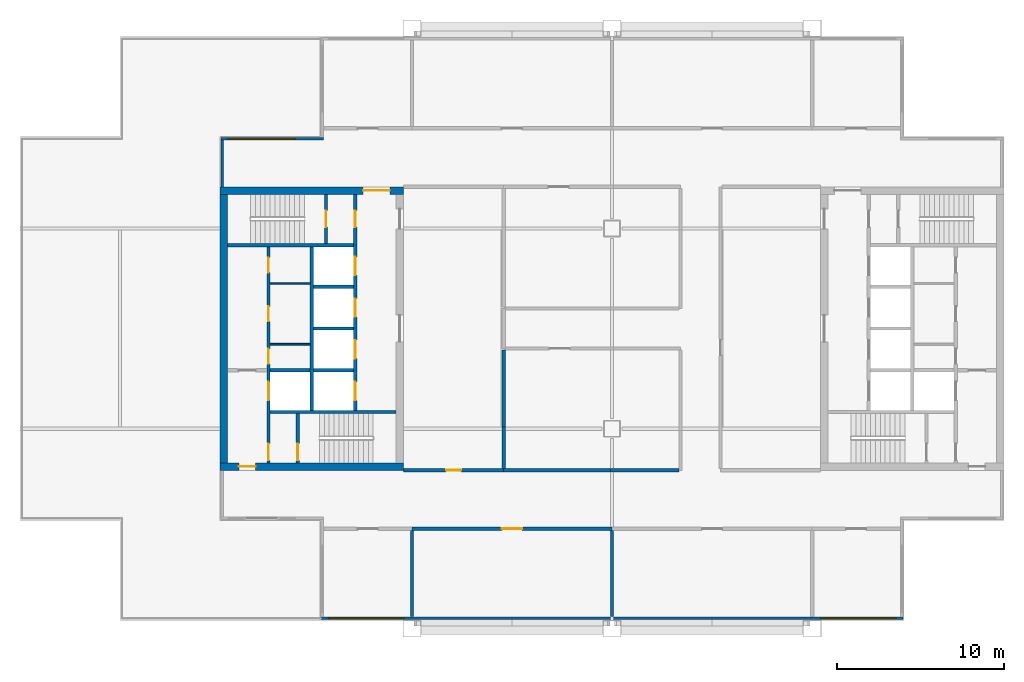
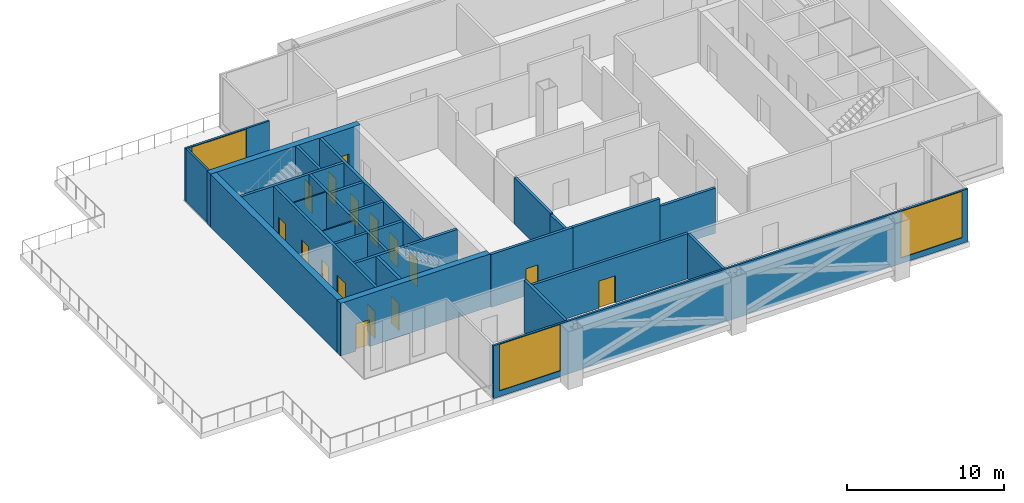
# One storey, part 2 of 6: 27 walls, 16 doors, 3 windows, 19 openings.
"""IFC4 building model written with IfcOpenShell, lengths in metres."""

from ifc_helpers import new_model, si_unit, direction, frame, frame_2d, origin, place, context, subcontext, project, spatial, rectangle, extrude, material, layer, layer_set, type_object, element, fill, save


model = new_model("IFC4")

# Units and contexts
model_context = context("Model", 3, precision=1e-05, world=origin(), true_north=direction((0.0, 1.0)))
body_context = subcontext(model_context, "Body", "Model", "MODEL_VIEW")
ifc_project = project(units=[si_unit("LENGTHUNIT", "METRE"), si_unit("AREAUNIT", "SQUARE_METRE"), si_unit("VOLUMEUNIT", "CUBIC_METRE"), si_unit("PLANEANGLEUNIT", "RADIAN"), si_unit("MASSUNIT", "GRAM", prefix="KILO")], contexts=[model_context])

# Site, building, storey
site_placement = place(None, origin())
site = spatial("IfcSite", under=ifc_project, at=site_placement, CompositionType="ELEMENT")
building_placement = place(site_placement, origin())
building = spatial("IfcBuilding", under=site, at=building_placement, Name="Kitamizu Gate Tower and Museum", CompositionType="ELEMENT")
storey_placement = place(building_placement, frame((0.0, 0.0, 213.449951171875)))
storey = spatial("IfcBuildingStorey", under=building, at=storey_placement, Name="L57", CompositionType="ELEMENT", Elevation=213.449951171875)

# Wall, opening, door
ifc_material_1 = material(Name="Concrete Fc42", Category="concrete")
ifc_layer_1 = layer(ifc_material_1, 0.449951171875)
ifc_layer_set_1 = layer_set([ifc_layer_1], Name="Concrete Fc42")
wall_type_1 = type_object("IfcWallType", Name="Core wall 450", PredefinedType="SHEAR", material=ifc_layer_set_1)
wall_1_placement = place(storey_placement, frame((12.5, 21.72509765625, 0.0), z_axis=(0.0, 0.0, 1.0), x_axis=(1.0, 0.0, 0.0)))
wall_1 = element("IfcWall", 1, at=wall_1_placement, inside=storey, type_object=wall_type_1, Name="Core wall WS", PredefinedType="SHEAR", context=body_context, shape_type="SweptSolid", body=[
    extrude(rectangle(XDim=11.0, YDim=0.449951171875, at=frame_2d((5.5, 0.0))), origin(), (0.0, 0.0, 1.0), 4.10009765625),
])
opening_1_placement = place(wall_1_placement, frame((1.125, 0.0, 0.0)))
opening_1 = element("IfcOpeningElement", 2, at=opening_1_placement, cuts=wall_1, Name="Opening L57-018", PredefinedType="OPENING", context=body_context, shape_type="SweptSolid", body=[
    extrude(rectangle(XDim=1.0, YDim=2.10009765625, at=frame_2d((0.5, 1.050048828125))), frame((0.0, 0.23486328125, 0.0), z_axis=(0.0, -1.0, 0.0), x_axis=(1.0, 0.0, 0.0)), (0.0, 0.0, 1.0), 0.469970703125),
])
ifc_material_2 = material(Name="Hollow metal door set")
door_type_1 = type_object("IfcDoorType", Name="Fire door 1000", OperationType="NOTDEFINED", PredefinedType="DOOR", material=ifc_material_2)
door_1_placement = place(opening_1_placement, origin())
door_1 = element("IfcDoor", 3, at=door_1_placement, inside=storey, type_object=door_type_1, Name="Fire-fighting lobby door L57-018", OperationType="SINGLE_SWING_LEFT", OverallHeight=2.10009765625, OverallWidth=1.0, PredefinedType="DOOR", context=body_context, shape_type="SweptSolid", body=[
    extrude(rectangle(XDim=1.0, YDim=2.10009765625, at=frame_2d((0.5, 1.050048828125))), frame((0.0, 0.02490234375, 0.0), z_axis=(0.0, -1.0, 0.0), x_axis=(1.0, 0.0, 0.0)), (0.0, 0.0, 1.0), 0.050048828125),
])
fill(opening_1, door_1)

wall_2_placement = place(storey_placement, frame((12.5, 38.27490234375, 0.0), z_axis=(0.0, 0.0, 1.0), x_axis=(1.0, 0.0, 0.0)))
wall_2 = element("IfcWall", 4, at=wall_2_placement, inside=storey, type_object=wall_type_1, Name="Core wall WN", PredefinedType="SHEAR", context=body_context, shape_type="SweptSolid", body=[
    extrude(rectangle(XDim=11.0, YDim=0.449951171875, at=frame_2d((5.5, 0.0))), origin(), (0.0, 0.0, 1.0), 4.10009765625),
])
opening_2_placement = place(wall_2_placement, frame((8.574951171875, 0.0, 0.0)))
opening_2 = element("IfcOpeningElement", 5, at=opening_2_placement, cuts=wall_2, Name="Opening L57-019", PredefinedType="OPENING", context=body_context, shape_type="SweptSolid", body=[
    extrude(rectangle(XDim=1.60009765625, YDim=2.10009765625, at=frame_2d((0.800048828125, 1.050048828125))), frame((0.0, 0.23486328125, 0.0), z_axis=(0.0, -1.0, 0.0), x_axis=(1.0, 0.0, 0.0)), (0.0, 0.0, 1.0), 0.469970703125),
])
ifc_material_3 = material(Name="Timber door set", Category="wood")
door_type_2 = type_object("IfcDoorType", Name="Entrance door 1600", OperationType="DOUBLE_DOOR_SINGLE_SWING", PredefinedType="DOOR", material=ifc_material_3)
door_2_placement = place(opening_2_placement, origin())
door_2 = element("IfcDoor", 6, at=door_2_placement, inside=storey, type_object=door_type_2, Name="Lobby door L57-019", OperationType="DOUBLE_DOOR_SINGLE_SWING", OverallHeight=2.10009765625, OverallWidth=1.60009765625, PredefinedType="DOOR", context=body_context, shape_type="SweptSolid", body=[
    extrude(rectangle(XDim=1.60009765625, YDim=2.10009765625, at=frame_2d((0.800048828125, 1.050048828125))), frame((0.0, 0.02490234375, 0.0), z_axis=(0.0, -1.0, 0.0), x_axis=(1.0, 0.0, 0.0)), (0.0, 0.0, 1.0), 0.050048828125),
])
fill(opening_2, door_2)

# Walls
wall_3_placement = place(storey_placement, frame((12.72509765625, 21.949951171875, 0.0), z_axis=(0.0, 0.0, 1.0), x_axis=(0.0, 1.0, 0.0)))
element("IfcWall", 7, at=wall_3_placement, inside=storey, type_object=wall_type_1, Name="Core wall WOUT", PredefinedType="SHEAR", context=body_context, shape_type="SweptSolid", body=[
    extrude(rectangle(XDim=16.10009765625, YDim=0.449951171875, at=frame_2d((8.050048828125, 0.0))), origin(), (0.0, 0.0, 1.0), 4.10009765625),
])
ifc_material_4 = material(Name="Gypsum board on galvanised stud")
ifc_layer_2 = layer(ifc_material_4, 0.10009765625)
ifc_layer_set_2 = layer_set([ifc_layer_2], Name="Gypsum board on galvanised stud")
wall_type_2 = type_object("IfcWallType", Name="Partition 100", PredefinedType="PARTITIONING", material=ifc_layer_set_2)
for number, where, z_axis, x_axis, name in (
    (8, (15.5, 29.06005859375, 0.0), (0.0, 0.0, 1.0), (1.0, 0.0, 0.0), "Partition WPF1"),
    (9, (15.5, 32.7099609375, 0.0), (0.0, 0.0, 1.0), (1.0, 0.0, 0.0), "Partition WPF2"),
):
    element("IfcWall", number, at=place(storey_placement, frame(where, z_axis=z_axis, x_axis=x_axis)), inside=storey, type_object=wall_type_2, Name=name, PredefinedType="PARTITIONING", context=body_context, shape_type="SweptSolid", body=[
        extrude(rectangle(XDim=2.39990234375, YDim=0.10009765625, at=frame_2d((1.199951171875, 0.0))), origin(), (0.0, 0.0, 1.0), 4.10009765625),
    ])

# Wall, opening, door
ifc_material_5 = material(Name="Gypsum board on galvanised stud")
ifc_layer_3 = layer(ifc_material_5, 0.199951171875)
ifc_layer_set_3 = layer_set([ifc_layer_3], Name="Gypsum board on galvanised stud")
wall_type_3 = type_object("IfcWallType", Name="Partition 200", PredefinedType="PARTITIONING", material=ifc_layer_set_3)
wall_4_placement = place(storey_placement, frame((29.5, 21.5, 0.0), z_axis=(0.0, 0.0, 1.0), x_axis=(-1.0, 0.0, 0.0)))
wall_4 = element("IfcWall", 10, at=wall_4_placement, inside=storey, type_object=wall_type_3, Name="Partition L57-001", PredefinedType="PARTITIONING", context=body_context, shape_type="SweptSolid", body=[
    extrude(rectangle(XDim=6.0, YDim=0.199951171875, at=frame_2d((3.0, 0.0))), origin(), (0.0, 0.0, 1.0), 4.10009765625),
])
opening_3_placement = place(wall_4_placement, frame((2.550048828125, 0.0, 0.0)))
opening_3 = element("IfcOpeningElement", 11, at=opening_3_placement, cuts=wall_4, Name="Opening L57-001", PredefinedType="OPENING", context=body_context, shape_type="SweptSolid", body=[
    extrude(rectangle(XDim=0.89990234375, YDim=2.10009765625, at=frame_2d((0.449951171875, 1.050048828125))), frame((0.0, 0.10986328125, 0.0), z_axis=(0.0, -1.0, 0.0), x_axis=(1.0, 0.0, 0.0)), (0.0, 0.0, 1.0), 0.219970703125),
])
ifc_material_6 = material(Name="Timber door set", Category="wood")
door_type_3 = type_object("IfcDoorType", Name="Store door 900", OperationType="NOTDEFINED", PredefinedType="DOOR", material=ifc_material_6)
door_3_placement = place(opening_3_placement, frame((0.89990234375, 0.0, 0.0), x_axis=(-1.0, 0.0, 0.0)))
door_3 = element("IfcDoor", 12, at=door_3_placement, inside=storey, type_object=door_type_3, Name="Store door L57-001", OperationType="SINGLE_SWING_LEFT", OverallHeight=2.10009765625, OverallWidth=0.89990234375, PredefinedType="DOOR", context=body_context, shape_type="SweptSolid", body=[
    extrude(rectangle(XDim=0.89990234375, YDim=2.10009765625, at=frame_2d((0.449951171875, 1.050048828125))), frame((0.0, 0.02490234375, 0.0), z_axis=(0.0, -1.0, 0.0), x_axis=(1.0, 0.0, 0.0)), (0.0, 0.0, 1.0), 0.050048828125),
])
fill(opening_3, door_3)

wall_5_placement = place(storey_placement, frame((24.0, 18.0, 0.0), z_axis=(0.0, 0.0, 1.0), x_axis=(1.0, 0.0, 0.0)))
wall_5 = element("IfcWall", 13, at=wall_5_placement, inside=storey, type_object=wall_type_3, Name="Partition L57-009", PredefinedType="PARTITIONING", context=body_context, shape_type="SweptSolid", body=[
    extrude(rectangle(XDim=12.0, YDim=0.199951171875, at=frame_2d((6.0, 0.0))), origin(), (0.0, 0.0, 1.0), 3.5),
])
opening_4_placement = place(wall_5_placement, frame((5.39990234375, 0.0, 0.0)))
opening_4 = element("IfcOpeningElement", 14, at=opening_4_placement, cuts=wall_5, Name="Opening L57-004", PredefinedType="OPENING", context=body_context, shape_type="SweptSolid", body=[
    extrude(rectangle(XDim=1.199951171875, YDim=2.10009765625, at=frame_2d((0.60009765625, 1.050048828125))), frame((0.0, 0.10986328125, 0.0), z_axis=(0.0, -1.0, 0.0), x_axis=(1.0, 0.0, 0.0)), (0.0, 0.0, 1.0), 0.219970703125),
])
ifc_material_7 = material(Name="Timber door set", Category="wood")
door_type_4 = type_object("IfcDoorType", Name="Plant room door 1200", OperationType="DOUBLE_DOOR_SINGLE_SWING", PredefinedType="DOOR", material=ifc_material_7)
door_4_placement = place(opening_4_placement, origin())
door_4 = element("IfcDoor", 15, at=door_4_placement, inside=storey, type_object=door_type_4, Name="Plant room door L57-004", OperationType="DOUBLE_DOOR_SINGLE_SWING", OverallHeight=2.10009765625, OverallWidth=1.199951171875, PredefinedType="DOOR", context=body_context, shape_type="SweptSolid", body=[
    extrude(rectangle(XDim=1.199951171875, YDim=2.10009765625, at=frame_2d((0.60009765625, 1.050048828125))), frame((0.0, 0.02490234375, 0.0), z_axis=(0.0, -1.0, 0.0), x_axis=(1.0, 0.0, 0.0)), (0.0, 0.0, 1.0), 0.050048828125),
])
fill(opening_4, door_4)

# Walls
wall_6_placement = place(storey_placement, frame((40.0, 21.5, 0.0), z_axis=(0.0, 0.0, 1.0), x_axis=(-1.0, 0.0, 0.0)))
element("IfcWall", 16, at=wall_6_placement, inside=storey, type_object=wall_type_3, Name="Partition L57-020", PredefinedType="PARTITIONING", context=body_context, shape_type="SweptSolid", body=[
    extrude(rectangle(XDim=4.10009765625, YDim=0.199951171875, at=frame_2d((2.050048828125, 0.0))), origin(), (0.0, 0.0, 1.0), 3.5),
])
wall_7_placement = place(storey_placement, frame((35.89990234375, 21.5, 0.0), z_axis=(0.0, 0.0, 1.0), x_axis=(-1.0, 0.0, 0.0)))
element("IfcWall", 17, at=wall_7_placement, inside=storey, type_object=wall_type_3, Name="Partition L57-021", PredefinedType="PARTITIONING", context=body_context, shape_type="SweptSolid", body=[
    extrude(rectangle(XDim=6.39990234375, YDim=0.199951171875, at=frame_2d((3.199951171875, 0.0))), origin(), (0.0, 0.0, 1.0), 4.10009765625),
])
wall_8_placement = place(storey_placement, frame((29.5, 21.60009765625, 0.0), z_axis=(0.0, 0.0, 1.0), x_axis=(0.0, 1.0, 0.0)))
element("IfcWall", 18, at=wall_8_placement, inside=storey, type_object=wall_type_3, Name="Partition L57-028", PredefinedType="PARTITIONING", context=body_context, shape_type="SweptSolid", body=[
    extrude(rectangle(XDim=2.5, YDim=0.199951171875, at=frame_2d((1.25, 0.0))), origin(), (0.0, 0.0, 1.0), 3.5),
])
wall_9_placement = place(storey_placement, frame((29.5, 24.10009765625, 0.0), z_axis=(0.0, 0.0, 1.0), x_axis=(0.0, 1.0, 0.0)))
element("IfcWall", 19, at=wall_9_placement, inside=storey, type_object=wall_type_3, Name="Partition L57-029", PredefinedType="PARTITIONING", context=body_context, shape_type="SweptSolid", body=[
    extrude(rectangle(XDim=4.599853515625, YDim=0.199951171875, at=frame_2d((2.2998046875, 0.0))), origin(), (0.0, 0.0, 1.0), 3.60009765625),
])
wall_10_placement = place(storey_placement, frame((24.0, 12.719970703125, 0.0), z_axis=(0.0, 0.0, 1.0), x_axis=(0.0, 1.0, 0.0)))
element("IfcWall", 20, at=wall_10_placement, inside=storey, type_object=wall_type_3, Name="Partition L57-032", PredefinedType="PARTITIONING", context=body_context, shape_type="SweptSolid", body=[
    extrude(rectangle(XDim=5.179931640625, YDim=0.199951171875, at=frame_2d((2.58984375, 0.0))), origin(), (0.0, 0.0, 1.0), 4.10009765625),
])
wall_11_placement = place(storey_placement, frame((36.0, 12.719970703125, 0.0), z_axis=(0.0, 0.0, 1.0), x_axis=(0.0, 1.0, 0.0)))
element("IfcWall", 21, at=wall_11_placement, inside=storey, type_object=wall_type_3, Name="Partition L57-033", PredefinedType="PARTITIONING", context=body_context, shape_type="SweptSolid", body=[
    extrude(rectangle(XDim=5.179931640625, YDim=0.199951171875, at=frame_2d((2.58984375, 0.0))), origin(), (0.0, 0.0, 1.0), 3.5),
])

# Wall, openings, doors
ifc_material_8 = material(Name="Concrete Fc42", Category="concrete")
ifc_layer_4 = layer(ifc_material_8, 0.199951171875)
ifc_layer_set_4 = layer_set([ifc_layer_4], Name="Concrete Fc42")
wall_type_4 = type_object("IfcWallType", Name="Shaft wall 200", PredefinedType="SOLIDWALL", material=ifc_layer_set_4)
wall_12_placement = place(storey_placement, frame((15.39990234375, 21.949951171875, 0.0), z_axis=(0.0, 0.0, 1.0), x_axis=(0.0, 1.0, 0.0)))
wall_12 = element("IfcWall", 22, at=wall_12_placement, inside=storey, type_object=wall_type_4, Name="Shaft wall WWEST", PredefinedType="SOLIDWALL", context=body_context, shape_type="SweptSolid", body=[
    extrude(rectangle(XDim=12.949951171875, YDim=0.199951171875, at=frame_2d((6.47509765625, 0.0))), origin(), (0.0, 0.0, 1.0), 4.10009765625),
])
opening_5_placement = place(wall_12_placement, frame((3.75, 0.0, 0.0)))
opening_5 = element("IfcOpeningElement", 23, at=opening_5_placement, cuts=wall_12, Name="Opening LD", PredefinedType="OPENING", context=body_context, shape_type="SweptSolid", body=[
    extrude(rectangle(XDim=1.10009765625, YDim=2.10009765625, at=frame_2d((0.550048828125, 1.050048828125))), frame((0.0, 0.10986328125, 0.0), z_axis=(0.0, -1.0, 0.0), x_axis=(1.0, 0.0, 0.0)), (0.0, 0.0, 1.0), 0.219970703125),
])
opening_6_placement = place(wall_12_placement, frame((0.14990234375, 0.0, 0.0)))
opening_6 = element("IfcOpeningElement", 24, at=opening_6_placement, cuts=wall_12, Name="Opening L57-014", PredefinedType="OPENING", context=body_context, shape_type="SweptSolid", body=[
    extrude(rectangle(XDim=1.0, YDim=2.10009765625, at=frame_2d((0.5, 1.050048828125))), frame((0.0, 0.10986328125, 0.0), z_axis=(0.0, -1.0, 0.0), x_axis=(1.0, 0.0, 0.0)), (0.0, 0.0, 1.0), 0.219970703125),
])
opening_7_placement = place(wall_12_placement, frame((5.929931640625, 0.0, 0.0)))
opening_7 = element("IfcOpeningElement", 25, at=opening_7_placement, cuts=wall_12, Name="Opening L57-022", PredefinedType="OPENING", context=body_context, shape_type="SweptSolid", body=[
    extrude(rectangle(XDim=0.89990234375, YDim=2.10009765625, at=frame_2d((0.449951171875, 1.050048828125))), frame((0.0, 0.10986328125, 0.0), z_axis=(0.0, -1.0, 0.0), x_axis=(1.0, 0.0, 0.0)), (0.0, 0.0, 1.0), 0.219970703125),
])
opening_8_placement = place(wall_12_placement, frame((8.485107421875, 0.0, 0.0)))
opening_8 = element("IfcOpeningElement", 26, at=opening_8_placement, cuts=wall_12, Name="Opening L57-023", PredefinedType="OPENING", context=body_context, shape_type="SweptSolid", body=[
    extrude(rectangle(XDim=0.89990234375, YDim=2.10009765625, at=frame_2d((0.449951171875, 1.050048828125))), frame((0.0, 0.10986328125, 0.0), z_axis=(0.0, -1.0, 0.0), x_axis=(1.0, 0.0, 0.0)), (0.0, 0.0, 1.0), 0.219970703125),
])
opening_9_placement = place(wall_12_placement, frame((11.405029296875, 0.0, 0.0)))
opening_9 = element("IfcOpeningElement", 27, at=opening_9_placement, cuts=wall_12, Name="Opening L57-024", PredefinedType="OPENING", context=body_context, shape_type="SweptSolid", body=[
    extrude(rectangle(XDim=0.89990234375, YDim=2.10009765625, at=frame_2d((0.449951171875, 1.050048828125))), frame((0.0, 0.10986328125, 0.0), z_axis=(0.0, -1.0, 0.0), x_axis=(1.0, 0.0, 0.0)), (0.0, 0.0, 1.0), 0.219970703125),
])
door_5_placement = place(opening_6_placement, frame((1.0, 0.0, 0.0), x_axis=(-1.0, 0.0, 0.0)))
door_5 = element("IfcDoor", 28, at=door_5_placement, inside=storey, type_object=door_type_1, Name="Stair lobby door L57-014", OperationType="SINGLE_SWING_LEFT", OverallHeight=2.10009765625, OverallWidth=1.0, PredefinedType="DOOR", context=body_context, shape_type="SweptSolid", body=[
    extrude(rectangle(XDim=1.0, YDim=2.10009765625, at=frame_2d((0.5, 1.050048828125))), frame((0.0, 0.02490234375, 0.0), z_axis=(0.0, -1.0, 0.0), x_axis=(1.0, 0.0, 0.0)), (0.0, 0.0, 1.0), 0.050048828125),
])
fill(opening_6, door_5)
ifc_material_9 = material(Name="Hollow metal door set")
door_type_5 = type_object("IfcDoorType", Name="Landing door 1100", OperationType="SLIDING_TO_LEFT", PredefinedType="DOOR", material=ifc_material_9)
door_6_placement = place(opening_5_placement, origin())
door_6 = element("IfcDoor", 29, at=door_6_placement, inside=storey, type_object=door_type_5, Name="Landing door WFF1", OperationType="SLIDING_TO_LEFT", OverallHeight=2.10009765625, OverallWidth=1.10009765625, PredefinedType="DOOR", context=body_context, shape_type="SweptSolid", body=[
    extrude(rectangle(XDim=1.10009765625, YDim=2.10009765625, at=frame_2d((0.550048828125, 1.050048828125))), frame((0.0, 0.02490234375, 0.0), z_axis=(0.0, -1.0, 0.0), x_axis=(1.0, 0.0, 0.0)), (0.0, 0.0, 1.0), 0.050048828125),
])
fill(opening_5, door_6)
ifc_material_10 = material(Name="Timber door set", Category="wood")
door_type_6 = type_object("IfcDoorType", Name="Service door 900", OperationType="NOTDEFINED", PredefinedType="DOOR", material=ifc_material_10)
door_7_placement = place(opening_7_placement, frame((0.89990234375, 0.0, 0.0), x_axis=(-1.0, 0.0, 0.0)))
door_7 = element("IfcDoor", 30, at=door_7_placement, inside=storey, type_object=door_type_6, Name="Service door L57-022", OperationType="SINGLE_SWING_LEFT", OverallHeight=2.10009765625, OverallWidth=0.89990234375, PredefinedType="DOOR", context=body_context, shape_type="SweptSolid", body=[
    extrude(rectangle(XDim=0.89990234375, YDim=2.10009765625, at=frame_2d((0.449951171875, 1.050048828125))), frame((0.0, 0.02490234375, 0.0), z_axis=(0.0, -1.0, 0.0), x_axis=(1.0, 0.0, 0.0)), (0.0, 0.0, 1.0), 0.050048828125),
])
fill(opening_7, door_7)
door_8_placement = place(opening_8_placement, frame((0.89990234375, 0.0, 0.0), x_axis=(-1.0, 0.0, 0.0)))
door_8 = element("IfcDoor", 31, at=door_8_placement, inside=storey, type_object=door_type_6, Name="Service door L57-023", OperationType="SINGLE_SWING_RIGHT", OverallHeight=2.10009765625, OverallWidth=0.89990234375, PredefinedType="DOOR", context=body_context, shape_type="SweptSolid", body=[
    extrude(rectangle(XDim=0.89990234375, YDim=2.10009765625, at=frame_2d((0.449951171875, 1.050048828125))), frame((0.0, 0.02490234375, 0.0), z_axis=(0.0, -1.0, 0.0), x_axis=(1.0, 0.0, 0.0)), (0.0, 0.0, 1.0), 0.050048828125),
])
fill(opening_8, door_8)
door_9_placement = place(opening_9_placement, frame((0.89990234375, 0.0, 0.0), x_axis=(-1.0, 0.0, 0.0)))
door_9 = element("IfcDoor", 32, at=door_9_placement, inside=storey, type_object=door_type_6, Name="Service door L57-024", OperationType="SINGLE_SWING_LEFT", OverallHeight=2.10009765625, OverallWidth=0.89990234375, PredefinedType="DOOR", context=body_context, shape_type="SweptSolid", body=[
    extrude(rectangle(XDim=0.89990234375, YDim=2.10009765625, at=frame_2d((0.449951171875, 1.050048828125))), frame((0.0, 0.02490234375, 0.0), z_axis=(0.0, -1.0, 0.0), x_axis=(1.0, 0.0, 0.0)), (0.0, 0.0, 1.0), 0.050048828125),
])
fill(opening_9, door_9)

wall_13_placement = place(storey_placement, frame((20.60009765625, 25.10009765625, 0.0), z_axis=(0.0, 0.0, 1.0), x_axis=(0.0, 1.0, 0.0)))
wall_13 = element("IfcWall", 33, at=wall_13_placement, inside=storey, type_object=wall_type_4, Name="Shaft wall WEAST", PredefinedType="SOLIDWALL", context=body_context, shape_type="SweptSolid", body=[
    extrude(rectangle(XDim=12.949951171875, YDim=0.199951171875, at=frame_2d((6.47509765625, 0.0))), origin(), (0.0, 0.0, 1.0), 4.10009765625),
])
opening_10_placement = place(wall_13_placement, frame((0.60009765625, 0.0, 0.0)))
opening_10 = element("IfcOpeningElement", 34, at=opening_10_placement, cuts=wall_13, Name="Opening LD", PredefinedType="OPENING", context=body_context, shape_type="SweptSolid", body=[
    extrude(rectangle(XDim=1.10009765625, YDim=2.10009765625, at=frame_2d((0.550048828125, 1.050048828125))), frame((0.0, 0.10986328125, 0.0), z_axis=(0.0, -1.0, 0.0), x_axis=(1.0, 0.0, 0.0)), (0.0, 0.0, 1.0), 0.219970703125),
])
opening_11_placement = place(wall_13_placement, frame((3.10009765625, 0.0, 0.0)))
opening_11 = element("IfcOpeningElement", 35, at=opening_11_placement, cuts=wall_13, Name="Opening LD", PredefinedType="OPENING", context=body_context, shape_type="SweptSolid", body=[
    extrude(rectangle(XDim=1.10009765625, YDim=2.10009765625, at=frame_2d((0.550048828125, 1.050048828125))), frame((0.0, 0.10986328125, 0.0), z_axis=(0.0, -1.0, 0.0), x_axis=(1.0, 0.0, 0.0)), (0.0, 0.0, 1.0), 0.219970703125),
])
opening_12_placement = place(wall_13_placement, frame((5.60009765625, 0.0, 0.0)))
opening_12 = element("IfcOpeningElement", 36, at=opening_12_placement, cuts=wall_13, Name="Opening LD", PredefinedType="OPENING", context=body_context, shape_type="SweptSolid", body=[
    extrude(rectangle(XDim=1.10009765625, YDim=2.10009765625, at=frame_2d((0.550048828125, 1.050048828125))), frame((0.0, 0.10986328125, 0.0), z_axis=(0.0, -1.0, 0.0), x_axis=(1.0, 0.0, 0.0)), (0.0, 0.0, 1.0), 0.219970703125),
])
opening_13_placement = place(wall_13_placement, frame((8.10009765625, 0.0, 0.0)))
opening_13 = element("IfcOpeningElement", 37, at=opening_13_placement, cuts=wall_13, Name="Opening LD", PredefinedType="OPENING", context=body_context, shape_type="SweptSolid", body=[
    extrude(rectangle(XDim=1.10009765625, YDim=2.10009765625, at=frame_2d((0.550048828125, 1.050048828125))), frame((0.0, 0.10986328125, 0.0), z_axis=(0.0, -1.0, 0.0), x_axis=(1.0, 0.0, 0.0)), (0.0, 0.0, 1.0), 0.219970703125),
])
opening_14_placement = place(wall_13_placement, frame((10.97509765625, 0.0, 0.0)))
opening_14 = element("IfcOpeningElement", 38, at=opening_14_placement, cuts=wall_13, Name="Opening L57-015", PredefinedType="OPENING", context=body_context, shape_type="SweptSolid", body=[
    extrude(rectangle(XDim=1.0, YDim=2.10009765625, at=frame_2d((0.5, 1.050048828125))), frame((0.0, 0.10986328125, 0.0), z_axis=(0.0, -1.0, 0.0), x_axis=(1.0, 0.0, 0.0)), (0.0, 0.0, 1.0), 0.219970703125),
])
door_10_placement = place(opening_14_placement, origin())
door_10 = element("IfcDoor", 39, at=door_10_placement, inside=storey, type_object=door_type_1, Name="Stair lobby door L57-015", OperationType="SINGLE_SWING_RIGHT", OverallHeight=2.10009765625, OverallWidth=1.0, PredefinedType="DOOR", context=body_context, shape_type="SweptSolid", body=[
    extrude(rectangle(XDim=1.0, YDim=2.10009765625, at=frame_2d((0.5, 1.050048828125))), frame((0.0, 0.02490234375, 0.0), z_axis=(0.0, -1.0, 0.0), x_axis=(1.0, 0.0, 0.0)), (0.0, 0.0, 1.0), 0.050048828125),
])
fill(opening_14, door_10)
door_11_placement = place(opening_10_placement, origin())
door_11 = element("IfcDoor", 40, at=door_11_placement, inside=storey, type_object=door_type_5, Name="Landing door WSV1", OperationType="SLIDING_TO_LEFT", OverallHeight=2.10009765625, OverallWidth=1.10009765625, PredefinedType="DOOR", context=body_context, shape_type="SweptSolid", body=[
    extrude(rectangle(XDim=1.10009765625, YDim=2.10009765625, at=frame_2d((0.550048828125, 1.050048828125))), frame((0.0, 0.02490234375, 0.0), z_axis=(0.0, -1.0, 0.0), x_axis=(1.0, 0.0, 0.0)), (0.0, 0.0, 1.0), 0.050048828125),
])
fill(opening_10, door_11)
door_12_placement = place(opening_11_placement, origin())
door_12 = element("IfcDoor", 41, at=door_12_placement, inside=storey, type_object=door_type_5, Name="Landing door WH1", OperationType="SLIDING_TO_LEFT", OverallHeight=2.10009765625, OverallWidth=1.10009765625, PredefinedType="DOOR", context=body_context, shape_type="SweptSolid", body=[
    extrude(rectangle(XDim=1.10009765625, YDim=2.10009765625, at=frame_2d((0.550048828125, 1.050048828125))), frame((0.0, 0.02490234375, 0.0), z_axis=(0.0, -1.0, 0.0), x_axis=(1.0, 0.0, 0.0)), (0.0, 0.0, 1.0), 0.050048828125),
])
fill(opening_11, door_12)
door_13_placement = place(opening_12_placement, origin())
door_13 = element("IfcDoor", 42, at=door_13_placement, inside=storey, type_object=door_type_5, Name="Landing door WH2", OperationType="SLIDING_TO_LEFT", OverallHeight=2.10009765625, OverallWidth=1.10009765625, PredefinedType="DOOR", context=body_context, shape_type="SweptSolid", body=[
    extrude(rectangle(XDim=1.10009765625, YDim=2.10009765625, at=frame_2d((0.550048828125, 1.050048828125))), frame((0.0, 0.02490234375, 0.0), z_axis=(0.0, -1.0, 0.0), x_axis=(1.0, 0.0, 0.0)), (0.0, 0.0, 1.0), 0.050048828125),
])
fill(opening_12, door_13)
door_14_placement = place(opening_13_placement, origin())
door_14 = element("IfcDoor", 43, at=door_14_placement, inside=storey, type_object=door_type_5, Name="Landing door WH3", OperationType="SLIDING_TO_LEFT", OverallHeight=2.10009765625, OverallWidth=1.10009765625, PredefinedType="DOOR", context=body_context, shape_type="SweptSolid", body=[
    extrude(rectangle(XDim=1.10009765625, YDim=2.10009765625, at=frame_2d((0.550048828125, 1.050048828125))), frame((0.0, 0.02490234375, 0.0), z_axis=(0.0, -1.0, 0.0), x_axis=(1.0, 0.0, 0.0)), (0.0, 0.0, 1.0), 0.050048828125),
])
fill(opening_13, door_14)

# Walls
wall_14_placement = place(storey_placement, frame((18.0, 25.10009765625, 0.0), z_axis=(0.0, 0.0, 1.0), x_axis=(0.0, 1.0, 0.0)))
element("IfcWall", 44, at=wall_14_placement, inside=storey, type_object=wall_type_4, Name="Shaft wall WMID", PredefinedType="SOLIDWALL", context=body_context, shape_type="SweptSolid", body=[
    extrude(rectangle(XDim=9.7998046875, YDim=0.199951171875, at=frame_2d((4.89990234375, 0.0))), origin(), (0.0, 0.0, 1.0), 4.10009765625),
])
for number, where, z_axis, x_axis, name in (
    (45, (15.5, 25.0, 0.0), (0.0, 0.0, 1.0), (1.0, 0.0, 0.0), "Shaft wall WSB"),
    (46, (12.949951171875, 35.0, 0.0), (0.0, 0.0, 1.0), (1.0, 0.0, 0.0), "Shaft wall WNB"),
):
    element("IfcWall", number, at=place(storey_placement, frame(where, z_axis=z_axis, x_axis=x_axis)), inside=storey, type_object=wall_type_4, Name=name, PredefinedType="SOLIDWALL", context=body_context, shape_type="SweptSolid", body=[
        extrude(rectangle(XDim=7.550048828125, YDim=0.199951171875, at=frame_2d((3.77490234375, 0.0))), origin(), (0.0, 0.0, 1.0), 4.10009765625),
    ])

# Wall, opening, door
wall_15_placement = place(storey_placement, frame((17.14990234375, 21.949951171875, 0.0), z_axis=(0.0, 0.0, 1.0), x_axis=(0.0, 1.0, 0.0)))
wall_15 = element("IfcWall", 47, at=wall_15_placement, inside=storey, type_object=wall_type_4, Name="Shaft wall WSZ", PredefinedType="SOLIDWALL", context=body_context, shape_type="SweptSolid", body=[
    extrude(rectangle(XDim=2.949951171875, YDim=0.199951171875, at=frame_2d((1.47509765625, 0.0))), origin(), (0.0, 0.0, 1.0), 4.10009765625),
])
opening_15_placement = place(wall_15_placement, frame((0.14990234375, 0.0, 0.0)))
opening_15 = element("IfcOpeningElement", 48, at=opening_15_placement, cuts=wall_15, Name="Opening L57-013", PredefinedType="OPENING", context=body_context, shape_type="SweptSolid", body=[
    extrude(rectangle(XDim=1.0, YDim=2.10009765625, at=frame_2d((0.5, 1.050048828125))), frame((0.0, 0.10986328125, 0.0), z_axis=(0.0, -1.0, 0.0), x_axis=(1.0, 0.0, 0.0)), (0.0, 0.0, 1.0), 0.219970703125),
])
door_15_placement = place(opening_15_placement, frame((1.0, 0.0, 0.0), x_axis=(-1.0, 0.0, 0.0)))
door_15 = element("IfcDoor", 49, at=door_15_placement, inside=storey, type_object=door_type_1, Name="Stair door L57-013", OperationType="SINGLE_SWING_LEFT", OverallHeight=2.10009765625, OverallWidth=1.0, PredefinedType="DOOR", context=body_context, shape_type="SweptSolid", body=[
    extrude(rectangle(XDim=1.0, YDim=2.10009765625, at=frame_2d((0.5, 1.050048828125))), frame((0.0, 0.02490234375, 0.0), z_axis=(0.0, -1.0, 0.0), x_axis=(1.0, 0.0, 0.0)), (0.0, 0.0, 1.0), 0.050048828125),
])
fill(opening_15, door_15)

wall_16_placement = place(storey_placement, frame((18.85009765625, 35.10009765625, 0.0), z_axis=(0.0, 0.0, 1.0), x_axis=(0.0, 1.0, 0.0)))
wall_16 = element("IfcWall", 50, at=wall_16_placement, inside=storey, type_object=wall_type_4, Name="Shaft wall WNZ", PredefinedType="SOLIDWALL", context=body_context, shape_type="SweptSolid", body=[
    extrude(rectangle(XDim=2.949951171875, YDim=0.199951171875, at=frame_2d((1.47509765625, 0.0))), origin(), (0.0, 0.0, 1.0), 4.10009765625),
])
opening_16_placement = place(wall_16_placement, frame((0.97509765625, 0.0, 0.0)))
opening_16 = element("IfcOpeningElement", 51, at=opening_16_placement, cuts=wall_16, Name="Opening L57-016", PredefinedType="OPENING", context=body_context, shape_type="SweptSolid", body=[
    extrude(rectangle(XDim=1.0, YDim=2.10009765625, at=frame_2d((0.5, 1.050048828125))), frame((0.0, 0.10986328125, 0.0), z_axis=(0.0, -1.0, 0.0), x_axis=(1.0, 0.0, 0.0)), (0.0, 0.0, 1.0), 0.219970703125),
])
door_16_placement = place(opening_16_placement, origin())
door_16 = element("IfcDoor", 52, at=door_16_placement, inside=storey, type_object=door_type_1, Name="Stair door L57-016", OperationType="SINGLE_SWING_LEFT", OverallHeight=2.10009765625, OverallWidth=1.0, PredefinedType="DOOR", context=body_context, shape_type="SweptSolid", body=[
    extrude(rectangle(XDim=1.0, YDim=2.10009765625, at=frame_2d((0.5, 1.050048828125))), frame((0.0, 0.02490234375, 0.0), z_axis=(0.0, -1.0, 0.0), x_axis=(1.0, 0.0, 0.0)), (0.0, 0.0, 1.0), 0.050048828125),
])
fill(opening_16, door_16)

# Walls
for number, where, z_axis, x_axis, name in (
    (53, (15.5, 27.5, 0.0), (0.0, 0.0, 1.0), (1.0, 0.0, 0.0), "Shaft wall WDVW0"),
    (54, (18.10009765625, 27.5, 0.0), (0.0, 0.0, 1.0), (1.0, 0.0, 0.0), "Shaft wall WDVE0"),
    (55, (18.10009765625, 30.0, 0.0), (0.0, 0.0, 1.0), (1.0, 0.0, 0.0), "Shaft wall WDVE1"),
    (56, (18.10009765625, 32.5, 0.0), (0.0, 0.0, 1.0), (1.0, 0.0, 0.0), "Shaft wall WDVE2"),
):
    element("IfcWall", number, at=place(storey_placement, frame(where, z_axis=z_axis, x_axis=x_axis)), inside=storey, type_object=wall_type_4, Name=name, PredefinedType="SOLIDWALL", context=body_context, shape_type="SweptSolid", body=[
        extrude(rectangle(XDim=2.39990234375, YDim=0.199951171875, at=frame_2d((1.199951171875, 0.0))), origin(), (0.0, 0.0, 1.0), 4.10009765625),
    ])

# Wall, openings, windows
ifc_material_11 = material(Name="Bronze anodised aluminium frame with insulated spandrel and tinted glass", Category="aluminium")
ifc_layer_5 = layer(ifc_material_11, 0.14990234375)
ifc_layer_set_5 = layer_set([ifc_layer_5], Name="Bronze anodised aluminium frame with insulated spandrel and tinted glass")
wall_type_5 = type_object("IfcWallType", Name="WINDOW WALL 150 BRONZE FRAME EI 60", PredefinedType="ELEMENTEDWALL", material=ifc_layer_set_5)
wall_17_placement = place(storey_placement, frame((18.56005859375, 12.635009765625, 0.0), z_axis=(0.0, 0.0, 1.0), x_axis=(1.0, 0.0, 0.0)))
wall_17 = element("IfcWall", 57, at=wall_17_placement, inside=storey, type_object=wall_type_5, Name="Window wall south L57", PredefinedType="ELEMENTEDWALL", context=body_context, shape_type="SweptSolid", body=[
    extrude(rectangle(XDim=34.8798828125, YDim=0.14990234375, at=frame_2d((17.43994140625, 0.0))), origin(), (0.0, 0.0, 1.0), 4.10009765625),
])
opening_17_placement = place(wall_17_placement, frame((0.43994140625, 0.0, 0.449951171875)))
opening_17 = element("IfcOpeningElement", 58, at=opening_17_placement, cuts=wall_17, Name="Opening W17", PredefinedType="OPENING", context=body_context, shape_type="SweptSolid", body=[
    extrude(rectangle(XDim=4.5, YDim=3.60009765625, at=frame_2d((2.25, 1.800048828125))), frame((0.0, 0.0849609375, 0.0), z_axis=(0.0, -1.0, 0.0), x_axis=(1.0, 0.0, 0.0)), (0.0, 0.0, 1.0), 0.169921875),
])
opening_18_placement = place(wall_17_placement, frame((29.93994140625, 0.0, 0.449951171875)))
opening_18 = element("IfcOpeningElement", 59, at=opening_18_placement, cuts=wall_17, Name="Opening W17", PredefinedType="OPENING", context=body_context, shape_type="SweptSolid", body=[
    extrude(rectangle(XDim=4.5, YDim=3.60009765625, at=frame_2d((2.25, 1.800048828125))), frame((0.0, 0.0849609375, 0.0), z_axis=(0.0, -1.0, 0.0), x_axis=(1.0, 0.0, 0.0)), (0.0, 0.0, 1.0), 0.169921875),
])
ifc_material_12 = material(Name="Bronze anodised aluminium frame, tinted triple glazing", Category="aluminium")
window_type_1 = type_object("IfcWindowType", Name="WINDOW 4500 x 3600 SILL 450", PartitioningType="SINGLE_PANEL", PredefinedType="WINDOW", material=ifc_material_12)
window_1_placement = place(opening_17_placement, origin())
window_1 = element("IfcWindow", 60, at=window_1_placement, inside=storey, type_object=window_type_1, Name="Window W17 L57", OverallHeight=3.60009765625, OverallWidth=4.5, PartitioningType="SINGLE_PANEL", PredefinedType="WINDOW", context=body_context, shape_type="SweptSolid", body=[
    extrude(rectangle(XDim=4.5, YDim=3.60009765625, at=frame_2d((2.25, 1.800048828125))), frame((0.0, 0.030029296875, 0.0), z_axis=(0.0, -1.0, 0.0), x_axis=(1.0, 0.0, 0.0)), (0.0, 0.0, 1.0), 0.06005859375),
])
fill(opening_17, window_1)
window_2_placement = place(opening_18_placement, origin())
window_2 = element("IfcWindow", 61, at=window_2_placement, inside=storey, type_object=window_type_1, Name="Window W17 L57", OverallHeight=3.60009765625, OverallWidth=4.5, PartitioningType="SINGLE_PANEL", PredefinedType="WINDOW", context=body_context, shape_type="SweptSolid", body=[
    extrude(rectangle(XDim=4.5, YDim=3.60009765625, at=frame_2d((2.25, 1.800048828125))), frame((0.0, 0.030029296875, 0.0), z_axis=(0.0, -1.0, 0.0), x_axis=(1.0, 0.0, 0.0)), (0.0, 0.0, 1.0), 0.06005859375),
])
fill(opening_18, window_2)

# Wall, opening, window
wall_18_placement = place(storey_placement, frame((12.56005859375, 41.364990234375, 0.0), z_axis=(0.0, 0.0, 1.0), x_axis=(1.0, 0.0, 0.0)))
wall_18 = element("IfcWall", 62, at=wall_18_placement, inside=storey, type_object=wall_type_5, Name="Window wall north L57", PredefinedType="ELEMENTEDWALL", context=body_context, shape_type="SweptSolid", body=[
    extrude(rectangle(XDim=6.14990234375, YDim=0.14990234375, at=frame_2d((3.074951171875, 0.0))), origin(), (0.0, 0.0, 1.0), 4.10009765625),
])
opening_19_placement = place(wall_18_placement, frame((0.43994140625, 0.0, 0.449951171875)))
opening_19 = element("IfcOpeningElement", 63, at=opening_19_placement, cuts=wall_18, Name="Opening W18", PredefinedType="OPENING", context=body_context, shape_type="SweptSolid", body=[
    extrude(rectangle(XDim=4.0, YDim=3.60009765625, at=frame_2d((2.0, 1.800048828125))), frame((0.0, 0.0849609375, 0.0), z_axis=(0.0, -1.0, 0.0), x_axis=(1.0, 0.0, 0.0)), (0.0, 0.0, 1.0), 0.169921875),
])
ifc_material_13 = material(Name="Bronze anodised aluminium frame, tinted triple glazing", Category="aluminium")
window_type_2 = type_object("IfcWindowType", Name="WINDOW 4000 x 3600 SILL 450", PartitioningType="SINGLE_PANEL", PredefinedType="WINDOW", material=ifc_material_13)
window_3_placement = place(opening_19_placement, origin())
window_3 = element("IfcWindow", 64, at=window_3_placement, inside=storey, type_object=window_type_2, Name="Window W18 L57", OverallHeight=3.60009765625, OverallWidth=4.0, PartitioningType="SINGLE_PANEL", PredefinedType="WINDOW", context=body_context, shape_type="SweptSolid", body=[
    extrude(rectangle(XDim=4.0, YDim=3.60009765625, at=frame_2d((2.0, 1.800048828125))), frame((0.0, 0.030029296875, 0.0), z_axis=(0.0, -1.0, 0.0), x_axis=(1.0, 0.0, 0.0)), (0.0, 0.0, 1.0), 0.06005859375),
])
fill(opening_19, window_3)

# Wall
wall_19_placement = place(storey_placement, frame((12.635009765625, 38.5, 0.0), z_axis=(0.0, 0.0, 1.0), x_axis=(0.0, 1.0, 0.0)))
element("IfcWall", 65, at=wall_19_placement, inside=storey, type_object=wall_type_5, Name="Window wall west L57", PredefinedType="ELEMENTEDWALL", context=body_context, shape_type="SweptSolid", body=[
    extrude(rectangle(XDim=2.7900390625, YDim=0.14990234375, at=frame_2d((1.39501953125, 0.0))), origin(), (0.0, 0.0, 1.0), 4.10009765625),
])

save(model, "model.ifc")
